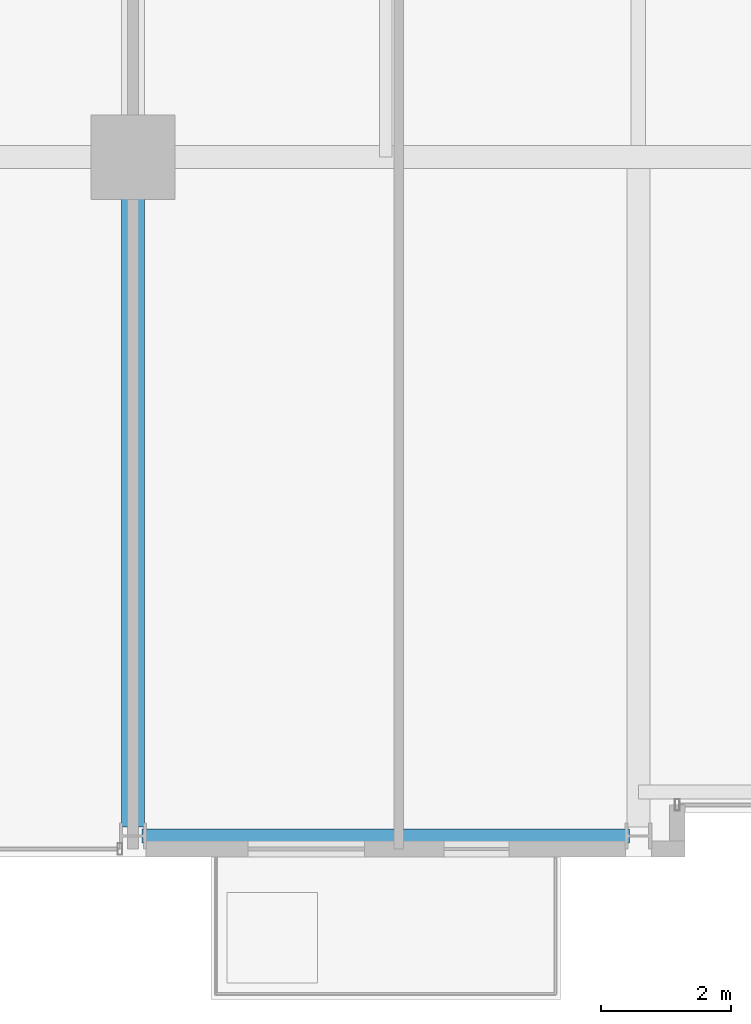
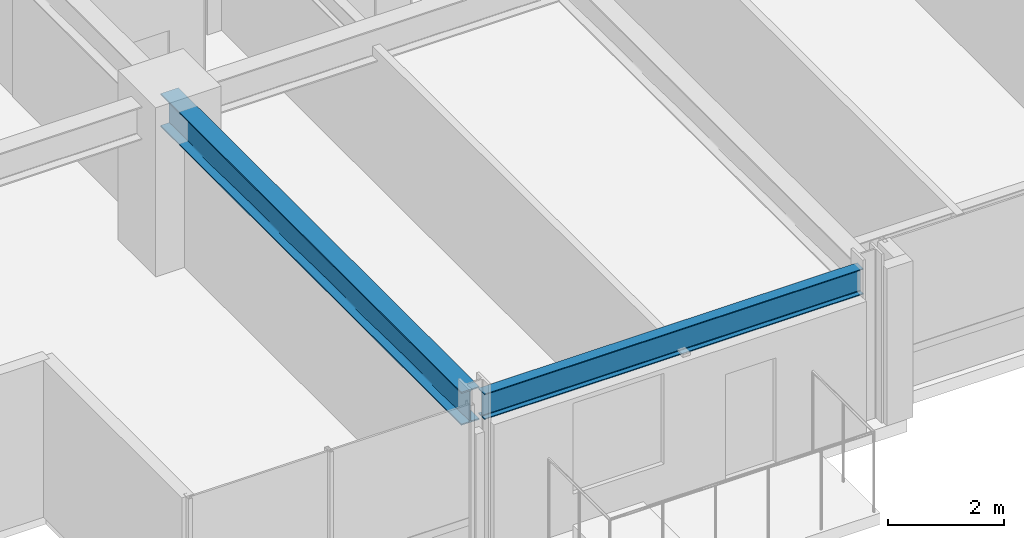
# One storey, part 3 of 32: 2 beams.
"""IFC4 building model written with IfcOpenShell, lengths in metres."""

from ifc_helpers import new_model, si_unit, direction, frame, origin, origin_2d, place, context, subcontext, project, spatial, i_section, extrude, material, material_profile, profile_set, type_object, element, save


model = new_model("IFC4")

# Units and contexts
model_context = context("Model", 3, precision=1e-05, world=origin(), true_north=direction((0.0, 1.0)))
body_context = subcontext(model_context, "Body", "Model", "MODEL_VIEW")
ifc_project = project(units=[si_unit("LENGTHUNIT", "METRE"), si_unit("AREAUNIT", "SQUARE_METRE"), si_unit("VOLUMEUNIT", "CUBIC_METRE"), si_unit("PLANEANGLEUNIT", "RADIAN"), si_unit("MASSUNIT", "GRAM", prefix="KILO")], contexts=[model_context])

# Site, building, storey
site_placement = place(None, origin())
site = spatial("IfcSite", under=ifc_project, at=site_placement, CompositionType="ELEMENT")
building_placement = place(site_placement, origin())
building = spatial("IfcBuilding", under=site, at=building_placement, Name="Drelvath Grand Hotel", CompositionType="ELEMENT")
storey_placement = place(building_placement, frame((0.0, 0.0, 157.5)))
storey = spatial("IfcBuildingStorey", under=building, at=storey_placement, Name="L40", CompositionType="ELEMENT", Elevation=157.5)

# Beams
ifc_material = material(Name="Steel ASTM A992 Gr 50", Category="steel")
ifc_material_profile_1 = material_profile(ifc_material, i_section(OverallWidth=0.210205078125, OverallDepth=0.53662109375, WebThickness=0.010986328125, FlangeThickness=0.017333984375, FilletRadius=0.01806640625, at=origin_2d()), Name="W21X68")
ifc_profile_set_1 = profile_set([ifc_material_profile_1], Name="Steel ASTM A992 Gr 50")
beam_type_1 = type_object("IfcBeamType", Name="Perimeter Spandrel Beam W21X68", PredefinedType="SPANDREL", material=ifc_profile_set_1)
beam_1_placement = place(storey_placement, frame((-16.06005859375, 0.320068359375, 3.021484375), z_axis=(1.0, 0.0, 0.0), x_axis=(0.0, 1.0, 0.0)))
element("IfcBeam", 1, at=beam_1_placement, inside=storey, type_object=beam_type_1, Name="L40 Spandrel South W", PredefinedType="SPANDREL", context=body_context, shape_type="SweptSolid", body=[
    extrude(i_section(OverallWidth=0.210205078125, OverallDepth=0.53662109375, WebThickness=0.010986328125, FlangeThickness=0.017333984375, FilletRadius=0.01806640625, at=origin_2d()), origin(), (0.0, 0.0, 1.0), 7.52001953125),
])
ifc_material_profile_2 = material_profile(ifc_material, i_section(OverallWidth=0.354736328125, OverallDepth=0.695556640625, WebThickness=0.015380859375, FlangeThickness=0.025146484375, FilletRadius=0.02392578125, at=origin_2d()), Name="W27X146")
ifc_profile_set_2 = profile_set([ifc_material_profile_2], Name="Steel ASTM A992 Gr 50")
beam_type_2 = type_object("IfcBeamType", Name="Primary Floor Girder W27X146", PredefinedType="BEAM", material=ifc_profile_set_2)
beam_2_placement = place(storey_placement, frame((-16.199951171875, 0.4599609375, 2.9423828125), z_axis=(0.0, 1.0, 0.0), x_axis=(-1.0, 0.0, 0.0)))
element("IfcBeam", 2, at=beam_2_placement, inside=storey, type_object=beam_type_2, Name="L40 South Grid Girder 3", PredefinedType="BEAM", context=body_context, shape_type="SweptSolid", body=[
    extrude(i_section(OverallWidth=0.354736328125, OverallDepth=0.695556640625, WebThickness=0.015380859375, FlangeThickness=0.025146484375, FilletRadius=0.02392578125, at=origin_2d()), origin(), (0.0, 0.0, 1.0), 10.340087890625),
])

save(model, "model.ifc")
